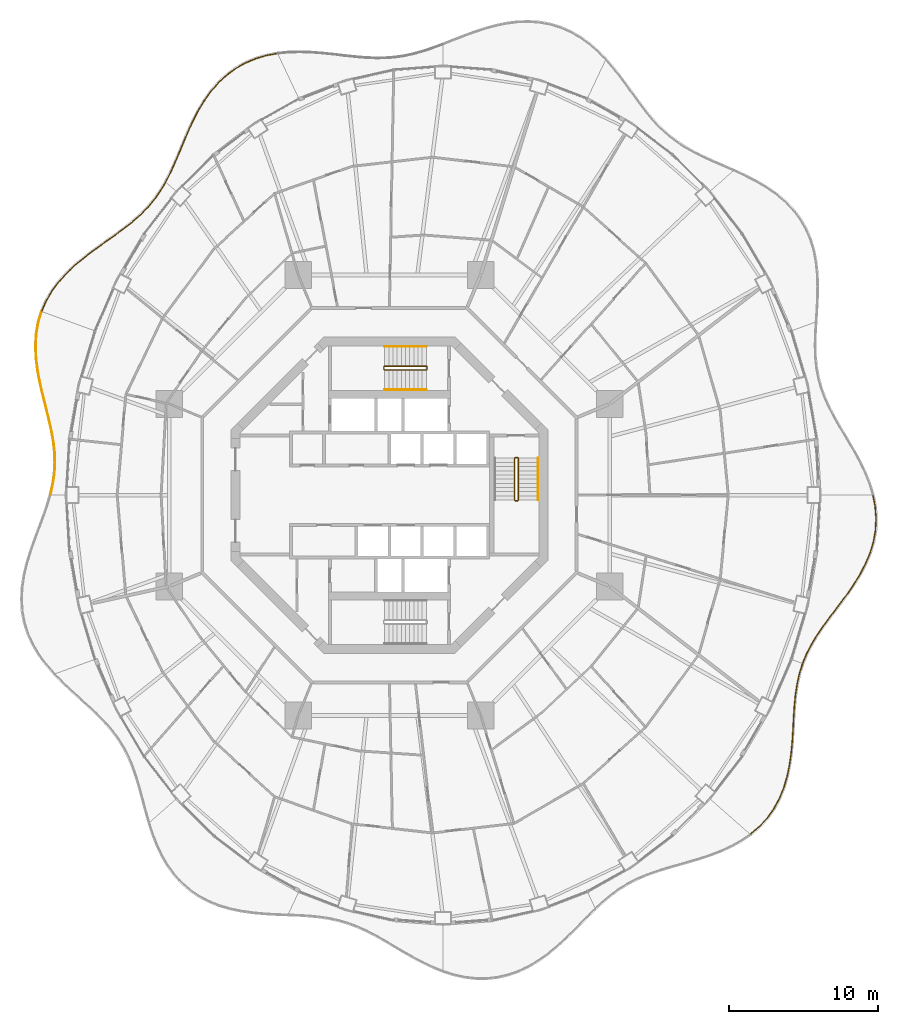
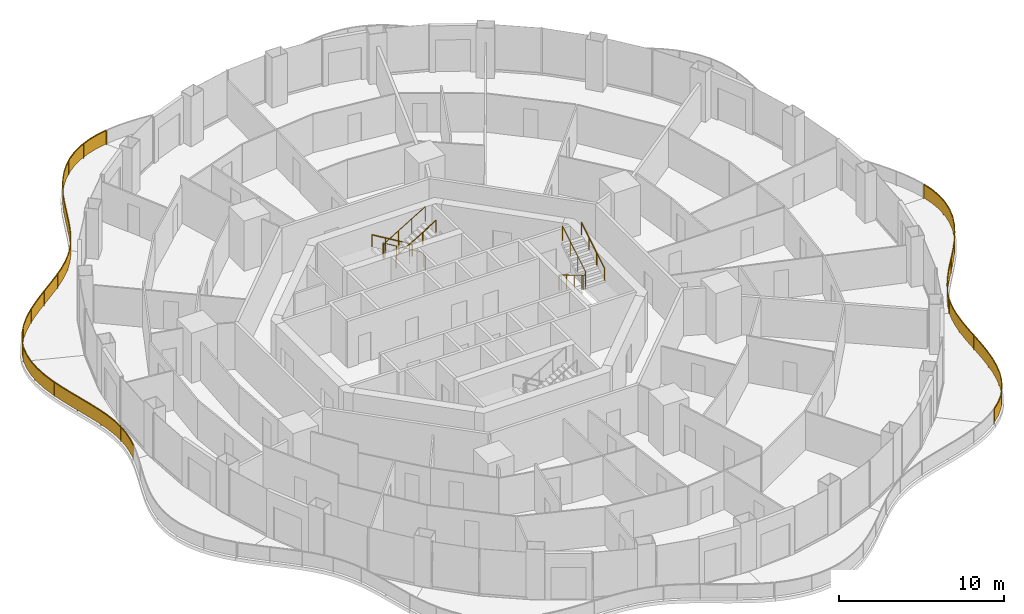
# One storey, part 18 of 19: 10 railings.
"""IFC4 building model written with IfcOpenShell, lengths in metres."""

from ifc_helpers import new_model, si_unit, direction, frame, origin, origin_2d, place, context, subcontext, project, spatial, polyline, rectangle, circle, outline, extrude, material, type_object, element, save


model = new_model("IFC4")

# Units and contexts
model_context = context("Model", 3, precision=1e-05, world=origin(), true_north=direction((0.0, 1.0)))
body_context = subcontext(model_context, "Body", "Model", "MODEL_VIEW")
ifc_project = project(units=[si_unit("LENGTHUNIT", "METRE"), si_unit("AREAUNIT", "SQUARE_METRE"), si_unit("VOLUMEUNIT", "CUBIC_METRE"), si_unit("PLANEANGLEUNIT", "RADIAN"), si_unit("MASSUNIT", "GRAM", prefix="KILO")], contexts=[model_context])

# Site, building, storey
site_placement = place(None, origin())
site = spatial("IfcSite", under=ifc_project, at=site_placement, CompositionType="ELEMENT")
building_placement = place(site_placement, origin())
building = spatial("IfcBuilding", under=site, at=building_placement, Name="Nagisa Residences", CompositionType="ELEMENT")
storey_placement = place(building_placement, frame((0.0, 0.0, 180.699951171875)))
storey = spatial("IfcBuildingStorey", under=building, at=storey_placement, Name="L45", CompositionType="ELEMENT", Elevation=180.699951171875)

# Railings
ifc_material_1 = material(Name="Stainless steel 316", Category="steel")
railing_type_1 = type_object("IfcRailingType", Name="BALCONY GUARD 1100", PredefinedType="BALUSTRADE", material=ifc_material_1)
railing_1_placement = place(storey_placement, frame((-7.548583984375, 29.640380859375, 0.0)))
element("IfcRailing", 1, at=railing_1_placement, inside=storey, type_object=railing_type_1, Name="guard:L45:bal05-0", PredefinedType="BALUSTRADE", context=body_context, shape_type="SweptSolid", body=[
    extrude(outline(polyline([(-0.708984375, -0.15771484375), (0.004638671875, -0.024658203125), (-0.004638671875, 0.024658203125), (-0.720703125, -0.10888671875), (-1.4560546875, -0.327880859375), (-2.15576171875, -0.625), (-2.812255859375, -1.0), (-3.418212890625, -1.449462890625), (-3.962158203125, -1.9619140625), (-4.465087890625, -2.54345703125), (-4.916015625, -3.17578125), (-5.319091796875, -3.84716796875), (-5.680419921875, -4.544921875), (-5.995849609375, -5.24609375), (-6.299560546875, -5.95849609375), (-6.5908203125, -6.6611328125), (-6.880126953125, -7.343994140625), (-7.178955078125, -7.999267578125), (-7.477783203125, -8.584228515625), (-7.433349609375, -8.607177734375), (-7.134033203125, -8.021240234375), (-6.834228515625, -7.364013671875), (-6.54443359375, -6.6806640625), (-6.253662109375, -5.97802734375), (-5.949951171875, -5.26611328125), (-5.635498046875, -4.56689453125), (-5.275146484375, -3.87158203125), (-4.8740234375, -3.203125), (-4.425537109375, -2.57421875), (-3.926025390625, -1.99658203125), (-3.385986328125, -1.488037109375), (-2.784912109375, -1.0419921875), (-2.13330078125, -0.669921875), (-1.43896484375, -0.375244140625), (-0.708984375, -0.15771484375)])), frame((0.0, 0.0, 1.050048828125)), (0.0, 0.0, 1.0), 0.050048828125),
    extrude(outline(polyline([(-0.713134765625, -0.14013671875), (0.001220703125, -0.0068359375), (-0.001220703125, 0.0068359375), (-0.716552734375, -0.12646484375), (-1.449951171875, -0.344970703125), (-2.147705078125, -0.64111328125), (-2.802490234375, -1.01513671875), (-3.406494140625, -1.46337890625), (-3.94921875, -1.974365234375), (-4.450927734375, -2.554443359375), (-4.90087890625, -3.185546875), (-5.30322265625, -3.85595703125), (-5.664306640625, -4.552978515625), (-5.979248046875, -5.253173828125), (-6.282958984375, -5.965576171875), (-6.573974609375, -6.668212890625), (-6.863525390625, -7.35107421875), (-7.162841796875, -8.00732421875), (-7.4619140625, -8.592529296875), (-7.44921875, -8.598876953125), (-7.150146484375, -8.01318359375), (-6.850830078125, -7.35693359375), (-6.561279296875, -6.673583984375), (-6.270263671875, -5.970947265625), (-5.966552734375, -5.259033203125), (-5.651611328125, -4.558837890625), (-5.291015625, -3.86279296875), (-4.88916015625, -3.193359375), (-4.439697265625, -2.563232421875), (-3.93896484375, -1.984130859375), (-3.397705078125, -1.47412109375), (-2.794677734375, -1.02685546875), (-2.141357421875, -0.65380859375), (-1.445068359375, -0.358154296875), (-0.713134765625, -0.14013671875)])), frame((0.0, 0.0, 0.06005859375)), (0.0, 0.0, 1.0), 0.989990234375),
    extrude(rectangle(XDim=0.0400390625, YDim=0.0400390625, at=origin_2d()), origin(), (0.0, 0.0, 1.0), 1.050048828125),
    extrude(rectangle(XDim=0.0400390625, YDim=0.0400390625, at=origin_2d()), frame((-1.919677734375, -0.552001953125, 0.0)), (0.0, 0.0, 1.0), 1.050048828125),
    extrude(rectangle(XDim=0.0400390625, YDim=0.0400390625, at=origin_2d()), frame((-3.588134765625, -1.64404296875, 0.0)), (0.0, 0.0, 1.0), 1.050048828125),
    extrude(rectangle(XDim=0.0400390625, YDim=0.0400390625, at=origin_2d()), frame((-4.880615234375, -3.169189453125, 0.0)), (0.0, 0.0, 1.0), 1.050048828125),
    extrude(rectangle(XDim=0.0400390625, YDim=0.0400390625, at=origin_2d()), frame((-5.82763671875, -4.933349609375, 0.0)), (0.0, 0.0, 1.0), 1.050048828125),
    extrude(rectangle(XDim=0.0400390625, YDim=0.0400390625, at=origin_2d()), frame((-6.61279296875, -6.777587890625, 0.0)), (0.0, 0.0, 1.0), 1.050048828125),
    extrude(rectangle(XDim=0.0400390625, YDim=0.0400390625, at=origin_2d()), frame((-7.45556640625, -8.595703125, 0.0)), (0.0, 0.0, 1.0), 1.050048828125),
])
railing_2_placement = place(storey_placement, frame((-15.036865234375, 20.9814453125, 0.0)))
element("IfcRailing", 2, at=railing_2_placement, inside=storey, type_object=railing_type_1, Name="guard:L45:bal06-0", PredefinedType="BALUSTRADE", context=body_context, shape_type="SweptSolid", body=[
    extrude(outline(polyline([(-0.32373046875, -0.5927734375), (0.021484375, -0.0126953125), (-0.021484375, 0.0126953125), (-0.36572265625, -0.5654296875), (-0.7724609375, -1.14013671875), (-1.224853515625, -1.677490234375), (-1.72509765625, -2.182373046875), (-2.2724609375, -2.662109375), (-2.853271484375, -3.112548828125), (-3.476318359375, -3.568603515625), (-4.121826171875, -4.027099609375), (-4.7763671875, -4.498046875), (-5.4248046875, -4.98974609375), (-6.044921875, -5.4970703125), (-6.63330078125, -6.0517578125), (-7.168701171875, -6.644287109375), (-7.637939453125, -7.276123046875), (-8.030029296875, -7.94677734375), (-8.319091796875, -8.610107421875), (-8.273193359375, -8.630126953125), (-7.985107421875, -7.9697265625), (-7.595947265625, -7.303955078125), (-7.130126953125, -6.676025390625), (-6.59765625, -6.0869140625), (-6.01171875, -5.53466796875), (-5.39404296875, -5.029296875), (-4.74658203125, -4.5380859375), (-4.092529296875, -4.067626953125), (-3.447021484375, -3.609130859375), (-2.822998046875, -3.152587890625), (-2.24072265625, -2.70068359375), (-1.69091796875, -2.218994140625), (-1.187744140625, -1.711181640625), (-0.73291015625, -1.1708984375), (-0.32373046875, -0.5927734375)])), frame((0.0, 0.0, 1.050048828125)), (0.0, 0.0, 1.0), 0.050048828125),
    extrude(outline(polyline([(-0.3388671875, -0.5830078125), (0.006103515625, -0.003662109375), (-0.006103515625, 0.003662109375), (-0.3505859375, -0.5751953125), (-0.75830078125, -1.151123046875), (-1.21142578125, -1.689697265625), (-1.712890625, -2.195556640625), (-2.260986328125, -2.676025390625), (-2.84228515625, -3.126953125), (-3.4658203125, -3.583251953125), (-4.111328125, -4.041748046875), (-4.765625, -4.512451171875), (-5.413818359375, -5.00390625), (-6.032958984375, -5.510498046875), (-6.62060546875, -6.064453125), (-7.15478515625, -6.65576171875), (-7.622802734375, -7.2861328125), (-8.013916015625, -7.955078125), (-8.302490234375, -8.617431640625), (-8.289794921875, -8.622802734375), (-8.001220703125, -7.96142578125), (-7.611083984375, -7.2939453125), (-7.14404296875, -6.66455078125), (-6.6103515625, -6.07421875), (-6.023681640625, -5.521240234375), (-5.405029296875, -5.01513671875), (-4.75732421875, -4.523681640625), (-4.10302734375, -4.052978515625), (-3.45751953125, -3.594482421875), (-2.833984375, -3.13818359375), (-2.252197265625, -2.686767578125), (-1.703125, -2.205810546875), (-1.201171875, -1.698974609375), (-0.7470703125, -1.159912109375), (-0.3388671875, -0.5830078125)])), frame((0.0, 0.0, 0.06005859375)), (0.0, 0.0, 1.0), 0.989990234375),
    extrude(rectangle(XDim=0.0400390625, YDim=0.0400390625, at=origin_2d()), origin(), (0.0, 0.0, 1.0), 1.050048828125),
    extrude(rectangle(XDim=0.0400390625, YDim=0.0400390625, at=origin_2d()), frame((-1.165771484375, -1.646240234375, 0.0)), (0.0, 0.0, 1.0), 1.050048828125),
    extrude(rectangle(XDim=0.0400390625, YDim=0.0400390625, at=origin_2d()), frame((-2.664794921875, -2.998046875, 0.0)), (0.0, 0.0, 1.0), 1.050048828125),
    extrude(rectangle(XDim=0.0400390625, YDim=0.0400390625, at=origin_2d()), frame((-4.300048828125, -4.186279296875, 0.0)), (0.0, 0.0, 1.0), 1.050048828125),
    extrude(rectangle(XDim=0.0400390625, YDim=0.0400390625, at=origin_2d()), frame((-5.90478515625, -5.414794921875, 0.0)), (0.0, 0.0, 1.0), 1.050048828125),
    extrude(rectangle(XDim=0.0400390625, YDim=0.0400390625, at=origin_2d()), frame((-7.3037109375, -6.867919921875, 0.0)), (0.0, 0.0, 1.0), 1.050048828125),
    extrude(rectangle(XDim=0.0400390625, YDim=0.0400390625, at=origin_2d()), frame((-8.296142578125, -8.6201171875, 0.0)), (0.0, 0.0, 1.0), 1.050048828125),
])
railing_3_placement = place(storey_placement, frame((-23.359375, 12.28857421875, 0.0)))
element("IfcRailing", 3, at=railing_3_placement, inside=storey, type_object=railing_type_1, Name="guard:L45:bal07-0", PredefinedType="BALUSTRADE", context=body_context, shape_type="SweptSolid", body=[
    extrude(outline(polyline([(-0.186767578125, -0.720947265625), (0.02392578125, -0.007080078125), (-0.02392578125, 0.007080078125), (-0.235595703125, -0.709716796875), (-0.3671875, -1.499267578125), (-0.41015625, -2.30859375), (-0.373291015625, -3.1298828125), (-0.269775390625, -3.955078125), (-0.11181640625, -4.763916015625), (0.075439453125, -5.577392578125), (0.27734375, -6.3779296875), (0.4736328125, -7.162109375), (0.6474609375, -7.92919921875), (0.783935546875, -8.665771484375), (0.867431640625, -9.401611328125), (0.89013671875, -10.12744140625), (0.848388671875, -10.846923828125), (0.7412109375, -11.56591796875), (0.58251953125, -12.248291015625), (0.63134765625, -12.259521484375), (0.79052734375, -11.5751953125), (0.898193359375, -10.852294921875), (0.9404296875, -10.1279296875), (0.917236328125, -9.398193359375), (0.833251953125, -8.658447265625), (0.6962890625, -7.9189453125), (0.5224609375, -7.150390625), (0.32568359375, -6.36572265625), (0.124267578125, -5.565673828125), (-0.06298828125, -4.753662109375), (-0.220458984375, -3.947265625), (-0.323486328125, -3.12548828125), (-0.35986328125, -2.30859375), (-0.3173828125, -1.504638671875), (-0.186767578125, -0.720947265625)])), frame((0.0, 0.0, 1.050048828125)), (0.0, 0.0, 1.0), 0.050048828125),
    extrude(outline(polyline([(-0.204345703125, -0.716796875), (0.006591796875, -0.001953125), (-0.006591796875, 0.001953125), (-0.218017578125, -0.7138671875), (-0.349365234375, -1.501220703125), (-0.39208984375, -2.30859375), (-0.35546875, -3.128173828125), (-0.251953125, -3.952392578125), (-0.09423828125, -4.76025390625), (0.093017578125, -5.5732421875), (0.294677734375, -6.37353515625), (0.4912109375, -7.157958984375), (0.6650390625, -7.925537109375), (0.8017578125, -8.6630859375), (0.88525390625, -9.400390625), (0.908203125, -10.127685546875), (0.8662109375, -10.848876953125), (0.759033203125, -11.5693359375), (0.60009765625, -12.25244140625), (0.61376953125, -12.25537109375), (0.772705078125, -11.57177734375), (0.88037109375, -10.850341796875), (0.92236328125, -10.127685546875), (0.8994140625, -9.3994140625), (0.8154296875, -8.6611328125), (0.6787109375, -7.922607421875), (0.5048828125, -7.154541015625), (0.308349609375, -6.3701171875), (0.106689453125, -5.56982421875), (-0.08056640625, -4.75732421875), (-0.23828125, -3.949951171875), (-0.34130859375, -3.127197265625), (-0.3779296875, -2.30859375), (-0.335205078125, -1.502685546875), (-0.204345703125, -0.716796875)])), frame((0.0, 0.0, 0.06005859375)), (0.0, 0.0, 1.0), 0.989990234375),
    extrude(rectangle(XDim=0.0400390625, YDim=0.0400390625, at=origin_2d()), origin(), (0.0, 0.0, 1.0), 1.050048828125),
    extrude(rectangle(XDim=0.0400390625, YDim=0.0400390625, at=origin_2d()), frame((-0.370361328125, -2.033447265625, 0.0)), (0.0, 0.0, 1.0), 1.050048828125),
    extrude(rectangle(XDim=0.0400390625, YDim=0.0400390625, at=origin_2d()), frame((-0.21630859375, -4.098876953125, 0.0)), (0.0, 0.0, 1.0), 1.050048828125),
    extrude(rectangle(XDim=0.0400390625, YDim=0.0400390625, at=origin_2d()), frame((0.239013671875, -6.12353515625, 0.0)), (0.0, 0.0, 1.0), 1.050048828125),
    extrude(rectangle(XDim=0.0400390625, YDim=0.0400390625, at=origin_2d()), frame((0.712646484375, -8.143798828125, 0.0)), (0.0, 0.0, 1.0), 1.050048828125),
    extrude(rectangle(XDim=0.0400390625, YDim=0.0400390625, at=origin_2d()), frame((0.91064453125, -10.20556640625, 0.0)), (0.0, 0.0, 1.0), 1.050048828125),
    extrude(rectangle(XDim=0.0400390625, YDim=0.0400390625, at=origin_2d()), frame((0.60693359375, -12.25390625, 0.0)), (0.0, 0.0, 1.0), 1.050048828125),
])
railing_4_placement = place(storey_placement, frame((24.24609375, -22.7421875, 0.0)))
element("IfcRailing", 4, at=railing_4_placement, inside=storey, type_object=railing_type_1, Name="guard:L45:bal14-0", PredefinedType="BALUSTRADE", context=body_context, shape_type="SweptSolid", body=[
    extrude(outline(polyline([(0.54541015625, 0.49658203125), (-0.01611328125, 0.01904296875), (0.01611328125, -0.01904296875), (0.580078125, 0.46044921875), (1.1103515625, 1.034423828125), (1.565185546875, 1.667724609375), (1.9423828125, 2.3544921875), (2.242431640625, 3.085693359375), (2.464111328125, 3.842041015625), (2.629638671875, 4.635009765625), (2.743408203125, 5.442626953125), (2.818115234375, 6.254150390625), (2.869140625, 7.060302734375), (2.906005859375, 7.83935546875), (2.957763671875, 8.611083984375), (3.0322265625, 9.358154296875), (3.142578125, 10.07861328125), (3.29931640625, 10.77197265625), (3.497314453125, 11.402099609375), (3.449462890625, 11.417236328125), (3.2509765625, 10.78515625), (3.09326171875, 10.087890625), (2.982421875, 9.364501953125), (2.907958984375, 8.615478515625), (2.856201171875, 7.84228515625), (2.8193359375, 7.063232421875), (2.768310546875, 6.258056640625), (2.693603515625, 5.448486328125), (2.580322265625, 4.643798828125), (2.415283203125, 3.854248046875), (2.195068359375, 3.102294921875), (1.89697265625, 2.3759765625), (1.522705078125, 1.694580078125), (1.0712890625, 1.066162109375), (0.54541015625, 0.49658203125)])), frame((0.0, 0.0, 1.050048828125)), (0.0, 0.0, 1.0), 0.050048828125),
    extrude(outline(polyline([(0.557861328125, 0.483642578125), (-0.004638671875, 0.00537109375), (0.004638671875, -0.00537109375), (0.567626953125, 0.473388671875), (1.09619140625, 1.0458984375), (1.5498046875, 1.677490234375), (1.926025390625, 2.3623046875), (2.225341796875, 3.091796875), (2.446533203125, 3.846435546875), (2.61181640625, 4.63818359375), (2.725341796875, 5.44482421875), (2.80029296875, 6.255615234375), (2.851318359375, 7.061279296875), (2.88818359375, 7.84033203125), (2.93994140625, 8.61279296875), (3.01416015625, 9.3603515625), (3.124755859375, 10.08203125), (3.281982421875, 10.77685546875), (3.47998046875, 11.407470703125), (3.466796875, 11.411865234375), (3.268310546875, 10.7802734375), (3.111083984375, 10.08447265625), (3.00048828125, 9.3623046875), (2.92578125, 8.61376953125), (2.8740234375, 7.84130859375), (2.837158203125, 7.062255859375), (2.7861328125, 6.256591796875), (2.711669921875, 5.4462890625), (2.59814453125, 4.640625), (2.432861328125, 3.849853515625), (2.212158203125, 3.09619140625), (1.913330078125, 2.3681640625), (1.5380859375, 1.684814453125), (1.08544921875, 1.0546875), (0.557861328125, 0.483642578125)])), frame((0.0, 0.0, 0.06005859375)), (0.0, 0.0, 1.0), 0.989990234375),
    extrude(rectangle(XDim=0.0400390625, YDim=0.0400390625, at=origin_2d()), origin(), (0.0, 0.0, 1.0), 1.050048828125),
    extrude(rectangle(XDim=0.0400390625, YDim=0.0400390625, at=origin_2d()), frame((1.40185546875, 1.4833984375, 0.0)), (0.0, 0.0, 1.0), 1.050048828125),
    extrude(rectangle(XDim=0.0400390625, YDim=0.0400390625, at=origin_2d()), frame((2.285888671875, 3.322998046875, 0.0)), (0.0, 0.0, 1.0), 1.050048828125),
    extrude(rectangle(XDim=0.0400390625, YDim=0.0400390625, at=origin_2d()), frame((2.701904296875, 5.32763671875, 0.0)), (0.0, 0.0, 1.0), 1.050048828125),
    extrude(rectangle(XDim=0.0400390625, YDim=0.0400390625, at=origin_2d()), frame((2.85888671875, 7.371337890625, 0.0)), (0.0, 0.0, 1.0), 1.050048828125),
    extrude(rectangle(XDim=0.0400390625, YDim=0.0400390625, at=origin_2d()), frame((3.015625, 9.4150390625, 0.0)), (0.0, 0.0, 1.0), 1.050048828125),
    extrude(rectangle(XDim=0.0400390625, YDim=0.0400390625, at=origin_2d()), frame((3.473388671875, 11.40966796875, 0.0)), (0.0, 0.0, 1.0), 1.050048828125),
])
railing_5_placement = place(storey_placement, frame((27.742919921875, -11.26806640625, 0.0)))
element("IfcRailing", 5, at=railing_5_placement, inside=storey, type_object=railing_type_1, Name="guard:L45:bal15-0", PredefinedType="BALUSTRADE", context=body_context, shape_type="SweptSolid", body=[
    extrude(outline(polyline([(0.2392578125, 0.64208984375), (-0.023193359375, 0.009521484375), (0.023193359375, -0.009521484375), (0.28466796875, 0.62109375), (0.622314453125, 1.2724609375), (1.016357421875, 1.91357421875), (1.457275390625, 2.5517578125), (1.932861328125, 3.194091796875), (2.42431640625, 3.832763671875), (2.919677734375, 4.50048828125), (3.397216796875, 5.187744140625), (3.837646484375, 5.89599609375), (4.222900390625, 6.626220703125), (4.53564453125, 7.363037109375), (4.765625, 8.131103515625), (4.902587890625, 8.91259765625), (4.941650390625, 9.70166015625), (4.882568359375, 10.4931640625), (4.73779296875, 11.235107421875), (4.6884765625, 11.225341796875), (4.832763671875, 10.486328125), (4.891357421875, 9.701171875), (4.852783203125, 8.91796875), (4.716796875, 8.142822265625), (4.48828125, 7.380126953125), (4.177490234375, 6.647705078125), (3.794189453125, 5.9208984375), (3.355224609375, 5.215087890625), (2.879150390625, 4.52978515625), (2.38427734375, 3.863037109375), (1.892822265625, 3.224365234375), (1.416748046875, 2.5810546875), (0.974365234375, 1.94091796875), (0.578857421875, 1.296875), (0.2392578125, 0.64208984375)])), frame((0.0, 0.0, 1.050048828125)), (0.0, 0.0, 1.0), 0.050048828125),
    extrude(outline(polyline([(0.255615234375, 0.634521484375), (-0.00634765625, 0.002685546875), (0.00634765625, -0.002685546875), (0.268310546875, 0.628662109375), (0.606689453125, 1.28125), (1.001220703125, 1.92333984375), (1.442626953125, 2.562255859375), (1.91845703125, 3.205078125), (2.409912109375, 3.84375), (2.905029296875, 4.510986328125), (3.382080078125, 5.197509765625), (3.822021484375, 5.905029296875), (4.20654296875, 6.634033203125), (4.5185546875, 7.369140625), (4.748046875, 8.13525390625), (4.884765625, 8.91455078125), (4.923583984375, 9.701416015625), (4.864501953125, 10.49072265625), (4.719970703125, 11.2314453125), (4.706298828125, 11.22900390625), (4.850830078125, 10.48876953125), (4.909423828125, 9.701416015625), (4.87060546875, 8.916015625), (4.734375, 8.138671875), (4.50537109375, 7.3740234375), (4.19384765625, 6.639892578125), (3.809814453125, 5.911865234375), (3.370361328125, 5.205322265625), (2.893798828125, 4.519287109375), (2.398681640625, 3.85205078125), (1.9072265625, 3.21337890625), (1.431396484375, 2.570556640625), (0.989501953125, 1.93115234375), (0.594482421875, 1.2880859375), (0.255615234375, 0.634521484375)])), frame((0.0, 0.0, 0.06005859375)), (0.0, 0.0, 1.0), 0.989990234375),
    extrude(rectangle(XDim=0.0400390625, YDim=0.0400390625, at=origin_2d()), origin(), (0.0, 0.0, 1.0), 1.050048828125),
    extrude(rectangle(XDim=0.0400390625, YDim=0.0400390625, at=origin_2d()), frame((0.956787109375, 1.8642578125, 0.0)), (0.0, 0.0, 1.0), 1.050048828125),
    extrude(rectangle(XDim=0.0400390625, YDim=0.0400390625, at=origin_2d()), frame((2.186767578125, 3.565185546875, 0.0)), (0.0, 0.0, 1.0), 1.050048828125),
    extrude(rectangle(XDim=0.0400390625, YDim=0.0400390625, at=origin_2d()), frame((3.41650390625, 5.266357421875, 0.0)), (0.0, 0.0, 1.0), 1.050048828125),
    extrude(rectangle(XDim=0.0400390625, YDim=0.0400390625, at=origin_2d()), frame((4.4033203125, 7.115478515625, 0.0)), (0.0, 0.0, 1.0), 1.050048828125),
    extrude(rectangle(XDim=0.0400390625, YDim=0.0400390625, at=origin_2d()), frame((4.88916015625, 9.1474609375, 0.0)), (0.0, 0.0, 1.0), 1.050048828125),
    extrude(rectangle(XDim=0.0400390625, YDim=0.0400390625, at=origin_2d()), frame((4.713134765625, 11.230224609375, 0.0)), (0.0, 0.0, 1.0), 1.050048828125),
])
ifc_material_2 = material(Name="Stainless steel", Category="steel")
railing_type_2 = type_object("IfcRailingType", Name="Stair guard 1100", PredefinedType="GUARDRAIL", material=ifc_material_2)
railing_6_placement = place(storey_placement, frame((8.599609375, 2.52490234375, 0.0)))
element("IfcRailing", 6, at=railing_6_placement, inside=storey, type_object=railing_type_2, Name="L45 ST-E stair guard 1", PredefinedType="GUARDRAIL", context=body_context, shape_type="SweptSolid", body=[
    extrude(circle(Radius=0.02392578125, at=origin_2d()), frame((0.0, 0.0, 1.076171875), z_axis=(-1.0, 0.0, 0.0), x_axis=(0.0, -1.0, 0.0)), (0.0, 0.0, 1.0), 0.14990234375),
    extrude(circle(Radius=0.02392578125, at=origin_2d()), frame((-0.14990234375, 0.0, 1.076171875), z_axis=(-0.27434429532, -0.273006030465, 0.922064485248), x_axis=(0.705375805398, -0.708833529934, 0.0)), (0.0, 0.0, 1.0), 0.182373046875),
    extrude(circle(Radius=0.02392578125, at=origin_2d()), frame((-0.199951171875, -0.0498046875, 1.244140625), z_axis=(0.0, -0.857242210791, 0.514913383045), x_axis=(1.0, 0.0, 0.0)), (0.0, 0.0, 1.0), 3.266357421875),
    extrude(circle(Radius=0.02392578125, at=origin_2d()), frame((-0.199951171875, -2.849853515625, 2.92626953125), z_axis=(0.707106781187, -0.707106781187, 0.0), x_axis=(0.707106781187, 0.707106781187, 0.0)), (0.0, 0.0, 1.0), 0.07080078125),
    extrude(circle(Radius=0.02392578125, at=origin_2d()), frame((-0.14990234375, -2.89990234375, 2.92626953125), z_axis=(1.0, 0.0, 0.0), x_axis=(0.0, 1.0, 0.0)), (0.0, 0.0, 1.0), 0.14990234375),
    extrude(circle(Radius=0.02392578125, at=origin_2d()), frame((0.0, -2.89990234375, 2.92626953125), z_axis=(0.274243871929, 0.274243871929, 0.92172696468), x_axis=(-0.707106781187, 0.707106781187, 0.0)), (0.0, 0.0, 1.0), 0.1826171875),
    extrude(circle(Radius=0.02392578125, at=origin_2d()), frame((0.050048828125, -2.849853515625, 3.09423828125), z_axis=(0.0, 0.857275202839, 0.514858452973), x_axis=(-1.0, 0.0, 0.0)), (0.0, 0.0, 1.0), 3.26611328125),
    extrude(circle(Radius=0.02099609375, at=origin_2d()), origin(), (0.0, 0.0, 1.0), 1.052001953125),
    extrude(circle(Radius=0.02099609375, at=origin_2d()), frame((-0.14990234375, 0.0, 0.0)), (0.0, 0.0, 1.0), 1.052001953125),
    extrude(circle(Radius=0.02099609375, at=origin_2d()), frame((-0.199951171875, -0.0498046875, 0.168212890625)), (0.0, 0.0, 1.0), 1.052001953125),
    extrude(circle(Radius=0.02099609375, at=origin_2d()), frame((-0.199951171875, -0.983154296875, 0.728759765625)), (0.0, 0.0, 1.0), 1.052001953125),
    extrude(circle(Radius=0.02099609375, at=origin_2d()), frame((-0.199951171875, -1.91650390625, 1.28955078125)), (0.0, 0.0, 1.0), 1.052001953125),
    extrude(circle(Radius=0.02099609375, at=origin_2d()), frame((-0.199951171875, -2.849853515625, 1.85009765625)), (0.0, 0.0, 1.0), 1.052001953125),
    extrude(circle(Radius=0.02099609375, at=origin_2d()), frame((-0.14990234375, -2.89990234375, 1.85009765625)), (0.0, 0.0, 1.0), 1.052001953125),
    extrude(circle(Radius=0.02099609375, at=origin_2d()), frame((0.0, -2.89990234375, 1.85009765625)), (0.0, 0.0, 1.0), 1.052001953125),
    extrude(circle(Radius=0.02099609375, at=origin_2d()), frame((0.050048828125, -2.849853515625, 2.018310546875)), (0.0, 0.0, 1.0), 1.052001953125),
    extrude(circle(Radius=0.02099609375, at=origin_2d()), frame((0.050048828125, -1.91650390625, 2.578857421875)), (0.0, 0.0, 1.0), 1.052001953125),
    extrude(circle(Radius=0.02099609375, at=origin_2d()), frame((0.050048828125, -0.983154296875, 3.139404296875)), (0.0, 0.0, 1.0), 1.052001953125),
    extrude(circle(Radius=0.02099609375, at=origin_2d()), frame((0.050048828125, -0.0498046875, 3.699951171875)), (0.0, 0.0, 1.0), 1.052001953125),
])
railing_7_placement = place(storey_placement, frame((2.52490234375, 8.44970703125, 0.0)))
element("IfcRailing", 7, at=railing_7_placement, inside=storey, type_object=railing_type_2, Name="L45 ST-N stair guard 1", PredefinedType="GUARDRAIL", context=body_context, shape_type="SweptSolid", body=[
    extrude(circle(Radius=0.02392578125, at=origin_2d()), frame((0.0, 0.0, 1.076171875), z_axis=(0.0, 1.0, 0.0), x_axis=(-1.0, 0.0, 0.0)), (0.0, 0.0, 1.0), 0.14990234375),
    extrude(circle(Radius=0.02392578125, at=origin_2d()), frame((0.0, 0.14990234375, 1.076171875), z_axis=(-0.273006030465, 0.27434429532, 0.922064485248), x_axis=(-0.708833529934, -0.705375805398, 0.0)), (0.0, 0.0, 1.0), 0.182373046875),
    extrude(circle(Radius=0.02392578125, at=origin_2d()), frame((-0.0498046875, 0.199951171875, 1.244140625), z_axis=(-0.857242210791, 0.0, 0.514913383045), x_axis=(0.0, -1.0, 0.0)), (0.0, 0.0, 1.0), 3.266357421875),
    extrude(circle(Radius=0.02392578125, at=origin_2d()), frame((-2.849853515625, 0.199951171875, 2.92626953125), z_axis=(-0.707106781187, -0.707106781187, 0.0), x_axis=(0.707106781187, -0.707106781187, 0.0)), (0.0, 0.0, 1.0), 0.07080078125),
    extrude(circle(Radius=0.02392578125, at=origin_2d()), frame((-2.89990234375, 0.14990234375, 2.92626953125), z_axis=(0.0, -1.0, 0.0), x_axis=(1.0, 0.0, 0.0)), (0.0, 0.0, 1.0), 0.14990234375),
    extrude(circle(Radius=0.02392578125, at=origin_2d()), frame((-2.89990234375, 0.0, 2.92626953125), z_axis=(0.274243871929, -0.274243871929, 0.92172696468), x_axis=(0.707106781187, 0.707106781187, 0.0)), (0.0, 0.0, 1.0), 0.1826171875),
    extrude(circle(Radius=0.02392578125, at=origin_2d()), frame((-2.849853515625, -0.050048828125, 3.09423828125), z_axis=(0.857275202839, 0.0, 0.514858452973), x_axis=(0.0, 1.0, 0.0)), (0.0, 0.0, 1.0), 3.26611328125),
    extrude(circle(Radius=0.02099609375, at=origin_2d()), origin(), (0.0, 0.0, 1.0), 1.052001953125),
    extrude(circle(Radius=0.02099609375, at=origin_2d()), frame((0.0, 0.14990234375, 0.0)), (0.0, 0.0, 1.0), 1.052001953125),
    extrude(circle(Radius=0.02099609375, at=origin_2d()), frame((-0.0498046875, 0.199951171875, 0.168212890625)), (0.0, 0.0, 1.0), 1.052001953125),
    extrude(circle(Radius=0.02099609375, at=origin_2d()), frame((-0.983154296875, 0.199951171875, 0.728759765625)), (0.0, 0.0, 1.0), 1.052001953125),
    extrude(circle(Radius=0.02099609375, at=origin_2d()), frame((-1.91650390625, 0.199951171875, 1.28955078125)), (0.0, 0.0, 1.0), 1.052001953125),
    extrude(circle(Radius=0.02099609375, at=origin_2d()), frame((-2.849853515625, 0.199951171875, 1.85009765625)), (0.0, 0.0, 1.0), 1.052001953125),
    extrude(circle(Radius=0.02099609375, at=origin_2d()), frame((-2.89990234375, 0.14990234375, 1.85009765625)), (0.0, 0.0, 1.0), 1.052001953125),
    extrude(circle(Radius=0.02099609375, at=origin_2d()), frame((-2.89990234375, 0.0, 1.85009765625)), (0.0, 0.0, 1.0), 1.052001953125),
    extrude(circle(Radius=0.02099609375, at=origin_2d()), frame((-2.849853515625, -0.050048828125, 2.018310546875)), (0.0, 0.0, 1.0), 1.052001953125),
    extrude(circle(Radius=0.02099609375, at=origin_2d()), frame((-1.91650390625, -0.050048828125, 2.578857421875)), (0.0, 0.0, 1.0), 1.052001953125),
    extrude(circle(Radius=0.02099609375, at=origin_2d()), frame((-0.983154296875, -0.050048828125, 3.139404296875)), (0.0, 0.0, 1.0), 1.052001953125),
    extrude(circle(Radius=0.02099609375, at=origin_2d()), frame((-0.0498046875, -0.050048828125, 3.699951171875)), (0.0, 0.0, 1.0), 1.052001953125),
])
ifc_material_3 = material(Name="Stainless steel", Category="steel")
railing_type_3 = type_object("IfcRailingType", Name="Stair handrail 900", PredefinedType="HANDRAIL", material=ifc_material_3)
railing_8_placement = place(storey_placement, frame((9.974609375, -0.324951171875, 2.018310546875)))
element("IfcRailing", 8, at=railing_8_placement, inside=storey, type_object=railing_type_3, Name="L45 ST-E stair handrail 2", PredefinedType="HANDRAIL", context=body_context, shape_type="SweptSolid", body=[
    extrude(circle(Radius=0.02392578125, at=origin_2d()), frame((0.0, 0.0, 0.8759765625), z_axis=(0.0, 0.857275202839, 0.514858452973), x_axis=(-1.0, 0.0, 0.0)), (0.0, 0.0, 1.0), 3.26611328125),
    extrude(circle(Radius=0.02099609375, at=origin_2d()), origin(), (0.0, 0.0, 1.0), 0.851806640625),
    extrude(circle(Radius=0.02099609375, at=origin_2d()), frame((0.0, 0.933349609375, 0.560546875)), (0.0, 0.0, 1.0), 0.851806640625),
    extrude(circle(Radius=0.02099609375, at=origin_2d()), frame((0.0, 1.86669921875, 1.12109375)), (0.0, 0.0, 1.0), 0.851806640625),
    extrude(circle(Radius=0.02099609375, at=origin_2d()), frame((0.0, 2.800048828125, 1.681640625)), (0.0, 0.0, 1.0), 0.851806640625),
])
railing_9_placement = place(storey_placement, frame((2.47509765625, 9.974609375, 0.168212890625)))
element("IfcRailing", 9, at=railing_9_placement, inside=storey, type_object=railing_type_3, Name="L45 ST-N stair handrail 1", PredefinedType="HANDRAIL", context=body_context, shape_type="SweptSolid", body=[
    extrude(circle(Radius=0.02392578125, at=origin_2d()), frame((0.0, 0.0, 0.8759765625), z_axis=(-0.857242210791, 0.0, 0.514913383045), x_axis=(0.0, -1.0, 0.0)), (0.0, 0.0, 1.0), 3.266357421875),
    extrude(circle(Radius=0.02099609375, at=origin_2d()), origin(), (0.0, 0.0, 1.0), 0.851806640625),
    extrude(circle(Radius=0.02099609375, at=origin_2d()), frame((-0.933349609375, 0.0, 0.560546875)), (0.0, 0.0, 1.0), 0.851806640625),
    extrude(circle(Radius=0.02099609375, at=origin_2d()), frame((-1.86669921875, 0.0, 1.121337890625)), (0.0, 0.0, 1.0), 0.851806640625),
    extrude(circle(Radius=0.02099609375, at=origin_2d()), frame((-2.800048828125, 0.0, 1.681884765625)), (0.0, 0.0, 1.0), 0.851806640625),
])
railing_10_placement = place(storey_placement, frame((-0.324951171875, 7.07470703125, 2.018310546875)))
element("IfcRailing", 10, at=railing_10_placement, inside=storey, type_object=railing_type_3, Name="L45 ST-N stair handrail 2", PredefinedType="HANDRAIL", context=body_context, shape_type="SweptSolid", body=[
    extrude(circle(Radius=0.02392578125, at=origin_2d()), frame((0.0, 0.0, 0.8759765625), z_axis=(0.857275202839, 0.0, 0.514858452973), x_axis=(0.0, 1.0, 0.0)), (0.0, 0.0, 1.0), 3.26611328125),
    extrude(circle(Radius=0.02099609375, at=origin_2d()), origin(), (0.0, 0.0, 1.0), 0.851806640625),
    extrude(circle(Radius=0.02099609375, at=origin_2d()), frame((0.933349609375, 0.0, 0.560546875)), (0.0, 0.0, 1.0), 0.851806640625),
    extrude(circle(Radius=0.02099609375, at=origin_2d()), frame((1.86669921875, 0.0, 1.12109375)), (0.0, 0.0, 1.0), 0.851806640625),
    extrude(circle(Radius=0.02099609375, at=origin_2d()), frame((2.800048828125, 0.0, 1.681640625)), (0.0, 0.0, 1.0), 0.851806640625),
])

save(model, "model.ifc")
